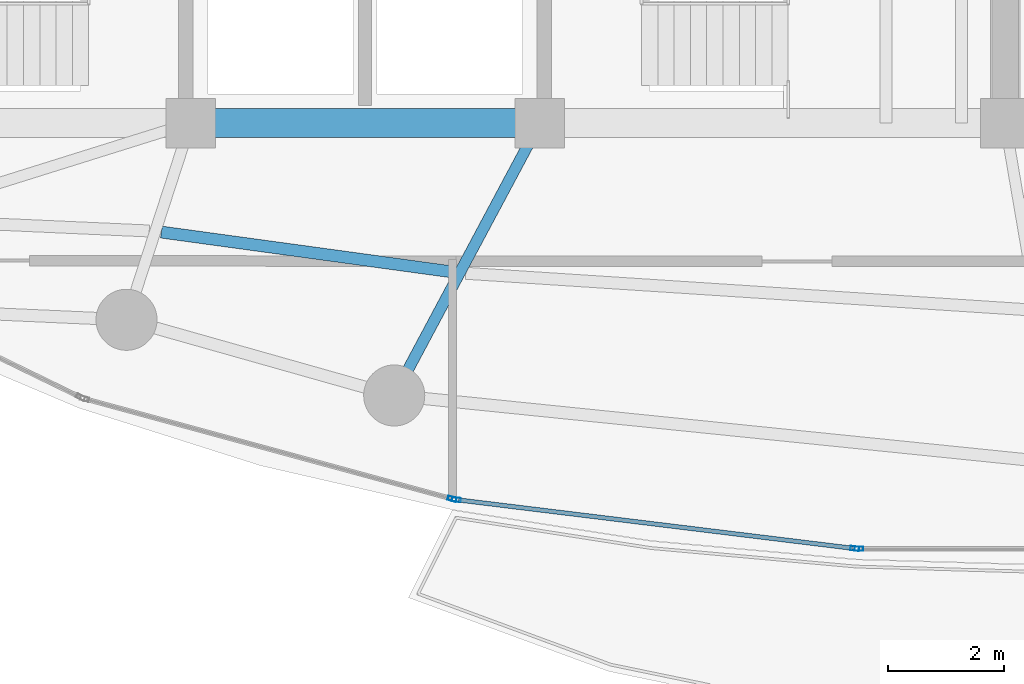
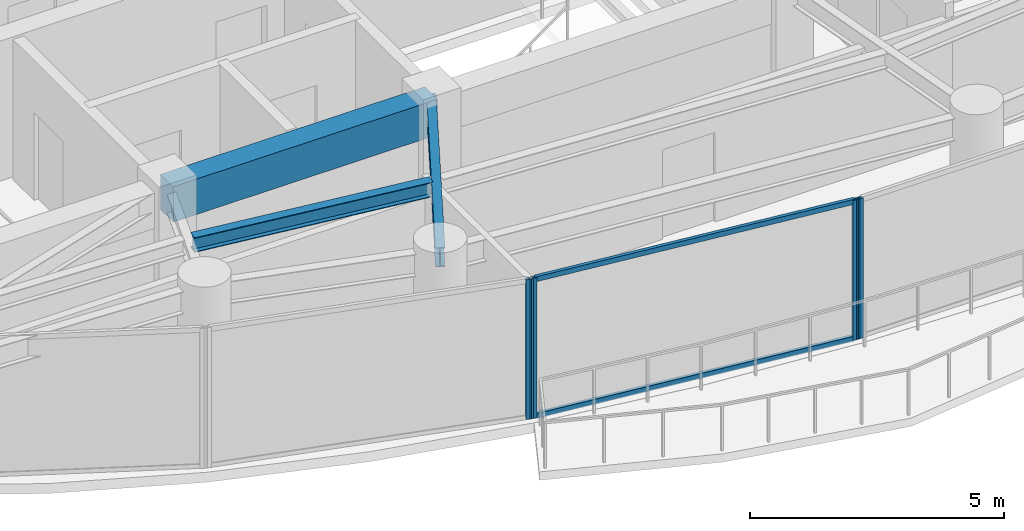
# One storey, part 5 of 28: 6 members, 3 beams, 3 elements without a shape of their own.
"""IFC4 building model written with IfcOpenShell, lengths in metres."""

from ifc_helpers import new_model, si_unit, direction, frame, origin, origin_2d, place, context, subcontext, project, spatial, rectangle, hollow_rectangle, i_section, extrude, material, layer, layer_set, material_profile, profile_set, type_object, element, aggregate, save


model = new_model("IFC4")

# Units and contexts
model_context = context("Model", 3, precision=1e-05, world=origin(), true_north=direction((0.0, 1.0)))
body_context = subcontext(model_context, "Body", "Model", "MODEL_VIEW")
ifc_project = project(units=[si_unit("LENGTHUNIT", "METRE"), si_unit("AREAUNIT", "SQUARE_METRE"), si_unit("VOLUMEUNIT", "CUBIC_METRE"), si_unit("PLANEANGLEUNIT", "RADIAN"), si_unit("MASSUNIT", "GRAM", prefix="KILO")], contexts=[model_context])

# Site, building, storey
site_placement = place(None, origin())
site = spatial("IfcSite", under=ifc_project, at=site_placement, CompositionType="ELEMENT")
building_placement = place(site_placement, origin())
building = spatial("IfcBuilding", under=site, at=building_placement, Name="Kazevale Care Tower and Concert Hall", CompositionType="ELEMENT")
storey_placement = place(building_placement, frame((0.0, 0.0, 246.0)))
storey = spatial("IfcBuildingStorey", under=building, at=storey_placement, Name="L65", CompositionType="ELEMENT", Elevation=246.0)

# Curtain wall, member
ifc_material_1 = material(Name="Aluminium 6063-T6 and Low-E Glass", Category="aluminium")
ifc_layer = layer(ifc_material_1, 0.179931640625)
ifc_layer_set = layer_set([ifc_layer], Name="Aluminium 6063-T6 and Low-E Glass")
curtain_wall_type = type_object("IfcCurtainWallType", Name="Sheltered Concave Balcony Curtain Wall CW-5", PredefinedType="NOTDEFINED", material=ifc_layer_set)
curtain_wall_1_placement = place(storey_placement, origin())
curtain_wall_1 = element("IfcCurtainWall", 1, at=curtain_wall_1_placement, inside=storey, type_object=curtain_wall_type, Name="cw:L65:f06", PredefinedType="NOTDEFINED")
ifc_material_2 = material(Name="Aluminium 6063-T6", Category="aluminium")
ifc_material_profile_1 = material_profile(ifc_material_2, hollow_rectangle(XDim=0.074951171875, YDim=0.14990234375, WallThickness=0.00390625, at=origin_2d()), Name="ALU75x150x4")
ifc_profile_set_1 = profile_set([ifc_material_profile_1], Name="Aluminium 6063-T6")
member_type_1 = type_object("IfcMemberType", Name="CW-5 Mullion ALU75x150x4", PredefinedType="MULLION", material=ifc_profile_set_1)
member_1_placement = place(storey_placement, frame((41.487548828125, 16.284912109375, 0.0), z_axis=(0.0, 0.0, 1.0), x_axis=(0.0, -1.0, 0.0)))
member_1 = element("IfcMember", 2, at=member_1_placement, type_object=member_type_1, Name="CW-5 mullion 2", PredefinedType="MULLION", context=body_context, shape_type="SweptSolid", body=[
    extrude(hollow_rectangle(XDim=0.074951171875, YDim=0.14990234375, WallThickness=0.00390625, at=origin_2d()), origin(), (0.0, 0.0, 1.0), 3.360107421875),
])
aggregate(curtain_wall_1, [member_1])

# Curtain wall, members
curtain_wall_2_placement = place(storey_placement, origin())
curtain_wall_2 = element("IfcCurtainWall", 3, at=curtain_wall_2_placement, inside=storey, type_object=curtain_wall_type, Name="cw:L65:f07", PredefinedType="NOTDEFINED")
member_2_placement = place(storey_placement, frame((41.412841796875, 16.28955078125, 0.0), z_axis=(0.0, 0.0, 1.0), x_axis=(-0.121650797964, -0.992572961225, 0.0)))
member_2 = element("IfcMember", 4, at=member_2_placement, type_object=member_type_1, Name="CW-5 mullion 1", PredefinedType="MULLION", context=body_context, shape_type="SweptSolid", body=[
    extrude(hollow_rectangle(XDim=0.074951171875, YDim=0.14990234375, WallThickness=0.00390625, at=origin_2d()), origin(), (0.0, 0.0, 1.0), 3.360107421875),
])
member_3_placement = place(storey_placement, frame((34.568115234375, 17.12841796875, 0.0), z_axis=(0.0, 0.0, 1.0), x_axis=(-0.121650797964, -0.992572961225, 0.0)))
member_3 = element("IfcMember", 5, at=member_3_placement, type_object=member_type_1, Name="CW-5 mullion 2", PredefinedType="MULLION", context=body_context, shape_type="SweptSolid", body=[
    extrude(hollow_rectangle(XDim=0.074951171875, YDim=0.14990234375, WallThickness=0.00390625, at=origin_2d()), origin(), (0.0, 0.0, 1.0), 3.360107421875),
])

# Curtain wall, member
curtain_wall_3_placement = place(storey_placement, origin())
curtain_wall_3 = element("IfcCurtainWall", 6, at=curtain_wall_3_placement, inside=storey, type_object=curtain_wall_type, Name="cw:L65:f08", PredefinedType="NOTDEFINED")
member_4_placement = place(storey_placement, frame((34.494873046875, 17.142822265625, 0.0), z_axis=(0.0, 0.0, 1.0), x_axis=(-0.262848968947, -0.964836991167, 0.0)))
member_4 = element("IfcMember", 7, at=member_4_placement, type_object=member_type_1, Name="CW-5 mullion 1", PredefinedType="MULLION", context=body_context, shape_type="SweptSolid", body=[
    extrude(hollow_rectangle(XDim=0.074951171875, YDim=0.14990234375, WallThickness=0.00390625, at=origin_2d()), origin(), (0.0, 0.0, 1.0), 3.360107421875),
])
aggregate(curtain_wall_3, [member_4])

# Member
ifc_material_profile_2 = material_profile(ifc_material_2, hollow_rectangle(XDim=0.074951171875, YDim=0.1201171875, WallThickness=0.00390625, at=origin_2d()), Name="ALU75x120x4")
ifc_profile_set_2 = profile_set([ifc_material_profile_2], Name="Aluminium 6063-T6")
member_type_2 = type_object("IfcMemberType", Name="CW-5 Transom ALU75x120x4", PredefinedType="USERDEFINED", material=ifc_profile_set_2)
member_5_placement = place(storey_placement, frame((41.37548828125, 16.294189453125, 0.03759765625), z_axis=(-0.992575633306, 0.121628993941, 0.0), x_axis=(-0.121628993941, -0.992575633306, 0.0)))
member_5 = element("IfcMember", 8, at=member_5_placement, type_object=member_type_2, Name="CW-5 transom 1.1", ObjectType="TRANSOM", PredefinedType="USERDEFINED", context=body_context, shape_type="SweptSolid", body=[
    extrude(hollow_rectangle(XDim=0.074951171875, YDim=0.1201171875, WallThickness=0.00390625, at=origin_2d()), origin(), (0.0, 0.0, 1.0), 6.820556640625),
])

member_6_placement = place(storey_placement, frame((41.37548828125, 16.294189453125, 3.322509765625), z_axis=(-0.992575633306, 0.121628993941, 0.0), x_axis=(-0.121628993941, -0.992575633306, 0.0)))
member_6 = element("IfcMember", 9, at=member_6_placement, type_object=member_type_2, Name="CW-5 transom 1.2", ObjectType="TRANSOM", PredefinedType="USERDEFINED", context=body_context, shape_type="SweptSolid", body=[
    extrude(hollow_rectangle(XDim=0.074951171875, YDim=0.1201171875, WallThickness=0.00390625, at=origin_2d()), origin(), (0.0, 0.0, 1.0), 6.820556640625),
])

aggregate(curtain_wall_2, [member_2, member_3, member_5, member_6])

# Beams
ifc_material_3 = material(Name="Concrete C60", Category="concrete")
ifc_material_profile_3 = material_profile(ifc_material_3, rectangle(XDim=0.5, YDim=0.85009765625, at=origin_2d()), Name="RC-B500x850")
ifc_profile_set_3 = profile_set([ifc_material_profile_3], Name="Concrete C60")
beam_type_1 = type_object("IfcBeamType", Name="Core Coupling Beam RC500x850", PredefinedType="LINTEL", material=ifc_profile_set_3)
beam_1_placement = place(storey_placement, frame((30.0, 23.60009765625, 2.93505859375), z_axis=(1.0, 0.0, 0.0), x_axis=(0.0, 1.0, 0.0)))
element("IfcBeam", 10, at=beam_1_placement, inside=storey, type_object=beam_type_1, Name="beam:L65:coretie:2", PredefinedType="LINTEL", context=body_context, shape_type="SweptSolid", body=[
    extrude(rectangle(XDim=0.5, YDim=0.85009765625, at=origin_2d()), origin(), (0.0, 0.0, 1.0), 6.0),
])
ifc_material_4 = material(Name="Steel ASTM A572 Gr 50", Category="steel")
ifc_material_profile_4 = material_profile(ifc_material_4, i_section(OverallWidth=0.19091796875, OverallDepth=0.4599609375, WebThickness=0.010009765625, FlangeThickness=0.01611328125, at=origin_2d()), Name="W460x82")
ifc_profile_set_4 = profile_set([ifc_material_profile_4], Name="Steel ASTM A572 Gr 50")
beam_type_2 = type_object("IfcBeamType", Name="Radial Floor Beam W460x82", PredefinedType="BEAM", material=ifc_profile_set_4)
beam_2_placement = place(storey_placement, frame((36.0, 23.60009765625, 3.1298828125), z_axis=(-0.471161293943, -0.88204707079, 0.0), x_axis=(0.88204707079, -0.471161293943, 0.0)))
element("IfcBeam", 11, at=beam_2_placement, inside=storey, type_object=beam_type_2, Name="beam:L65:rad:12", PredefinedType="BEAM", context=body_context, shape_type="SweptSolid", body=[
    extrude(i_section(OverallWidth=0.19091796875, OverallDepth=0.4599609375, WebThickness=0.010009765625, FlangeThickness=0.01611328125, at=origin_2d()), origin(), (0.0, 0.0, 1.0), 5.30615234375),
])
ifc_material_profile_5 = material_profile(ifc_material_4, i_section(OverallWidth=0.205078125, OverallDepth=0.35400390625, WebThickness=0.009521484375, FlangeThickness=0.016845703125, at=origin_2d()), Name="W360x79")
ifc_profile_set_5 = profile_set([ifc_material_profile_5], Name="Steel ASTM A572 Gr 50")
beam_type_3 = type_object("IfcBeamType", Name="Secondary Floor Joist W360x79", PredefinedType="JOIST", material=ifc_profile_set_5)
beam_3_placement = place(storey_placement, frame((29.4990234375, 21.72705078125, 3.18310546875), z_axis=(0.990772043119, -0.13553877148, 0.0), x_axis=(0.13553877148, 0.990772043119, 0.0)))
element("IfcBeam", 12, at=beam_3_placement, inside=storey, type_object=beam_type_3, Name="beam:L65:joist:11", PredefinedType="JOIST", context=body_context, shape_type="SweptSolid", body=[
    extrude(i_section(OverallWidth=0.205078125, OverallDepth=0.35400390625, WebThickness=0.009521484375, FlangeThickness=0.016845703125, at=origin_2d()), origin(), (0.0, 0.0, 1.0), 5.06884765625),
])

save(model, "model.ifc")
